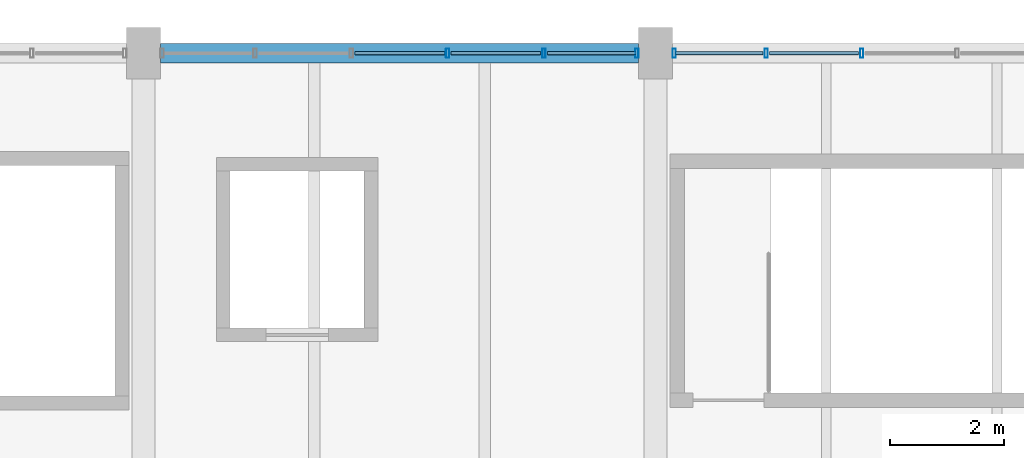
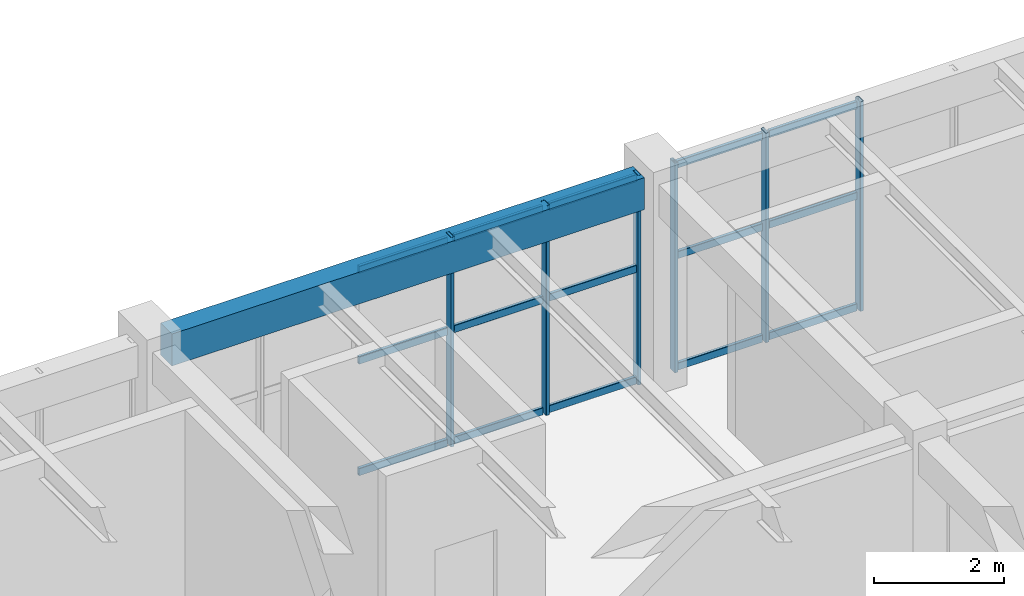
# One storey, part 68 of 148: 21 members, 1 beam, 2 elements without a shape of their own.
"""IFC4 building model written with IfcOpenShell, lengths in metres."""

from ifc_helpers import new_model, si_unit, derived_unit, direction, frame, origin, origin_2d, place, context, subcontext, project, spatial, rectangle, hollow_rectangle, extrude, material, material_profile, profile_set, type_object, element, aggregate, save


model = new_model("IFC4")

# Units and contexts
model_context = context("Model", 3, precision=1e-05, world=origin(), true_north=direction((0.0, 1.0)))
body_context = subcontext(model_context, "Body", "Model", "MODEL_VIEW")
ifc_project = project(units=[si_unit("LENGTHUNIT", "METRE"), si_unit("AREAUNIT", "SQUARE_METRE"), si_unit("VOLUMEUNIT", "CUBIC_METRE"), si_unit("PLANEANGLEUNIT", "RADIAN"), si_unit("MASSUNIT", "GRAM", prefix="KILO"), derived_unit("THERMALTRANSMITTANCEUNIT", [(si_unit("MASSUNIT", "GRAM", prefix="KILO"), 1), (si_unit("TIMEUNIT", "SECOND"), -3), (si_unit("THERMODYNAMICTEMPERATUREUNIT", "KELVIN"), -1)])], contexts=[model_context])

# Site, building, storey
site_placement = place(None, origin())
site = spatial("IfcSite", under=ifc_project, at=site_placement, CompositionType="ELEMENT")
building_placement = place(site_placement, origin())
building = spatial("IfcBuilding", under=site, at=building_placement, Name="Zhenchuan Archway Interchange", CompositionType="ELEMENT")
storey_placement = place(building_placement, frame((0.0, 0.0, 10.199951171875)))
storey = spatial("IfcBuildingStorey", under=building, at=storey_placement, Name="L02", CompositionType="ELEMENT", Elevation=10.199951171875)

# Curtain wall, members
ifc_material_1 = material(Name="Anodised Aluminium", Category="aluminium")
curtain_wall_type_1 = type_object("IfcCurtainWallType", Name="CW_UNIT_1", PredefinedType="NOTDEFINED", material=ifc_material_1)
curtain_wall_1_placement = place(storey_placement, origin())
curtain_wall_1 = element("IfcCurtainWall", 1, at=curtain_wall_1_placement, inside=storey, type_object=curtain_wall_type_1, Name="Unitised curtain wall CW:L02:140", PredefinedType="NOTDEFINED")
ifc_material_profile_1 = material_profile(ifc_material_1, hollow_rectangle(XDim=0.06005859375, YDim=0.159912109375, WallThickness=0.00390625, InnerFilletRadius=0.00390625, OuterFilletRadius=0.008056640625, at=origin_2d()), Name="ALU 160x60x4")
ifc_profile_set_1 = profile_set([ifc_material_profile_1], Name="Anodised Aluminium")
member_type_1 = type_object("IfcMemberType", Name="CW_MUL_150", PredefinedType="MULLION", material=ifc_profile_set_1)
member_1_placement = place(storey_placement, frame((23.346435546875, 112.0, 0.0), z_axis=(0.0, 0.0, 1.0), x_axis=(1.0, 0.0, 0.0)))
member_1 = element("IfcMember", 2, at=member_1_placement, type_object=member_type_1, Name="CW:L02:140 mullion 3", PredefinedType="MULLION", context=body_context, shape_type="SweptSolid", body=[
    extrude(hollow_rectangle(XDim=0.06005859375, YDim=0.159912109375, WallThickness=0.00390625, InnerFilletRadius=0.00390625, OuterFilletRadius=0.008056640625, at=origin_2d()), origin(), (0.0, 0.0, 1.0), 3.93994140625),
])
member_2_placement = place(storey_placement, frame((25.039306640625, 112.0, 0.0), z_axis=(0.0, 0.0, 1.0), x_axis=(1.0, 0.0, 0.0)))
member_2 = element("IfcMember", 3, at=member_2_placement, type_object=member_type_1, Name="CW:L02:140 mullion 4", PredefinedType="MULLION", context=body_context, shape_type="SweptSolid", body=[
    extrude(hollow_rectangle(XDim=0.06005859375, YDim=0.159912109375, WallThickness=0.00390625, InnerFilletRadius=0.00390625, OuterFilletRadius=0.008056640625, at=origin_2d()), origin(), (0.0, 0.0, 1.0), 3.93994140625),
])
member_3_placement = place(storey_placement, frame((26.672119140625, 112.0, 0.0), z_axis=(0.0, 0.0, 1.0), x_axis=(1.0, 0.0, 0.0)))
member_3 = element("IfcMember", 4, at=member_3_placement, type_object=member_type_1, Name="CW:L02:140 mullion 5", PredefinedType="MULLION", context=body_context, shape_type="SweptSolid", body=[
    extrude(hollow_rectangle(XDim=0.06005859375, YDim=0.159912109375, WallThickness=0.00390625, InnerFilletRadius=0.00390625, OuterFilletRadius=0.008056640625, at=origin_2d()), origin(), (0.0, 0.0, 1.0), 3.93994140625),
])

curtain_wall_type_2 = type_object("IfcCurtainWallType", Name="CW_UNIT_2", PredefinedType="NOTDEFINED", material=ifc_material_1)
curtain_wall_2_placement = place(storey_placement, origin())
curtain_wall_2 = element("IfcCurtainWall", 5, at=curtain_wall_2_placement, inside=storey, type_object=curtain_wall_type_2, Name="Unitised curtain wall CW:L02:141", PredefinedType="NOTDEFINED")
member_4_placement = place(storey_placement, frame((27.327880859375, 112.0, 0.0), z_axis=(0.0, 0.0, 1.0), x_axis=(1.0, 0.0, 0.0)))
member_4 = element("IfcMember", 6, at=member_4_placement, type_object=member_type_1, Name="CW:L02:141 mullion 0", PredefinedType="MULLION", context=body_context, shape_type="SweptSolid", body=[
    extrude(hollow_rectangle(XDim=0.06005859375, YDim=0.159912109375, WallThickness=0.00390625, InnerFilletRadius=0.00390625, OuterFilletRadius=0.008056640625, at=origin_2d()), origin(), (0.0, 0.0, 1.0), 3.93994140625),
])
member_5_placement = place(storey_placement, frame((28.94580078125, 112.0, 0.0), z_axis=(0.0, 0.0, 1.0), x_axis=(1.0, 0.0, 0.0)))
member_5 = element("IfcMember", 7, at=member_5_placement, type_object=member_type_1, Name="CW:L02:141 mullion 1", PredefinedType="MULLION", context=body_context, shape_type="SweptSolid", body=[
    extrude(hollow_rectangle(XDim=0.06005859375, YDim=0.159912109375, WallThickness=0.00390625, InnerFilletRadius=0.00390625, OuterFilletRadius=0.008056640625, at=origin_2d()), origin(), (0.0, 0.0, 1.0), 3.93994140625),
])
member_6_placement = place(storey_placement, frame((30.62353515625, 112.0, 0.0), z_axis=(0.0, 0.0, 1.0), x_axis=(1.0, 0.0, 0.0)))
member_6 = element("IfcMember", 8, at=member_6_placement, type_object=member_type_1, Name="CW:L02:141 mullion 2", PredefinedType="MULLION", context=body_context, shape_type="SweptSolid", body=[
    extrude(hollow_rectangle(XDim=0.06005859375, YDim=0.159912109375, WallThickness=0.00390625, InnerFilletRadius=0.00390625, OuterFilletRadius=0.008056640625, at=origin_2d()), origin(), (0.0, 0.0, 1.0), 3.93994140625),
])

# Member
ifc_material_profile_2 = material_profile(ifc_material_1, hollow_rectangle(XDim=0.06005859375, YDim=0.139892578125, WallThickness=0.00341796875, InnerFilletRadius=0.00341796875, OuterFilletRadius=0.007080078125, at=origin_2d()), Name="ALU 140x60x3.5")
ifc_profile_set_2 = profile_set([ifc_material_profile_2], Name="Anodised Aluminium")
member_type_2 = type_object("IfcMemberType", Name="CW_TRN_140", PredefinedType="USERDEFINED", material=ifc_profile_set_2)
member_7_placement = place(storey_placement, frame((21.713623046875, 112.0, 0.06005859375), z_axis=(1.0, 0.0, 0.0), x_axis=(0.0, 1.0, 0.0)))
member_7 = element("IfcMember", 9, at=member_7_placement, type_object=member_type_2, Name="CW:L02:140 transom 2-1", ObjectType="TRANSOM", PredefinedType="USERDEFINED", context=body_context, shape_type="SweptSolid", body=[
    extrude(hollow_rectangle(XDim=0.06005859375, YDim=0.139892578125, WallThickness=0.00341796875, InnerFilletRadius=0.00341796875, OuterFilletRadius=0.007080078125, at=origin_2d()), origin(), (0.0, 0.0, 1.0), 1.57275390625),
])

member_8_placement = place(storey_placement, frame((21.713623046875, 112.0, 2.156005859375), z_axis=(1.0, 0.0, 0.0), x_axis=(0.0, 1.0, 0.0)))
member_8 = element("IfcMember", 10, at=member_8_placement, type_object=member_type_2, Name="CW:L02:140 transom 2-2", ObjectType="TRANSOM", PredefinedType="USERDEFINED", context=body_context, shape_type="SweptSolid", body=[
    extrude(hollow_rectangle(XDim=0.06005859375, YDim=0.139892578125, WallThickness=0.00341796875, InnerFilletRadius=0.00341796875, OuterFilletRadius=0.007080078125, at=origin_2d()), origin(), (0.0, 0.0, 1.0), 1.57275390625),
])

member_9_placement = place(storey_placement, frame((21.713623046875, 112.0, 3.860107421875), z_axis=(1.0, 0.0, 0.0), x_axis=(0.0, 1.0, 0.0)))
member_9 = element("IfcMember", 11, at=member_9_placement, type_object=member_type_2, Name="CW:L02:140 transom 2-3", ObjectType="TRANSOM", PredefinedType="USERDEFINED", context=body_context, shape_type="SweptSolid", body=[
    extrude(hollow_rectangle(XDim=0.06005859375, YDim=0.139892578125, WallThickness=0.00341796875, InnerFilletRadius=0.00341796875, OuterFilletRadius=0.007080078125, at=origin_2d()), origin(), (0.0, 0.0, 1.0), 1.57275390625),
])

member_10_placement = place(storey_placement, frame((23.406494140625, 112.0, 0.06005859375), z_axis=(1.0, 0.0, 0.0), x_axis=(0.0, 1.0, 0.0)))
member_10 = element("IfcMember", 12, at=member_10_placement, type_object=member_type_2, Name="CW:L02:140 transom 3-1", ObjectType="TRANSOM", PredefinedType="USERDEFINED", context=body_context, shape_type="SweptSolid", body=[
    extrude(hollow_rectangle(XDim=0.06005859375, YDim=0.139892578125, WallThickness=0.00341796875, InnerFilletRadius=0.00341796875, OuterFilletRadius=0.007080078125, at=origin_2d()), origin(), (0.0, 0.0, 1.0), 1.57275390625),
])

member_11_placement = place(storey_placement, frame((23.406494140625, 112.0, 2.156005859375), z_axis=(1.0, 0.0, 0.0), x_axis=(0.0, 1.0, 0.0)))
member_11 = element("IfcMember", 13, at=member_11_placement, type_object=member_type_2, Name="CW:L02:140 transom 3-2", ObjectType="TRANSOM", PredefinedType="USERDEFINED", context=body_context, shape_type="SweptSolid", body=[
    extrude(hollow_rectangle(XDim=0.06005859375, YDim=0.139892578125, WallThickness=0.00341796875, InnerFilletRadius=0.00341796875, OuterFilletRadius=0.007080078125, at=origin_2d()), origin(), (0.0, 0.0, 1.0), 1.57275390625),
])

member_12_placement = place(storey_placement, frame((23.406494140625, 112.0, 3.860107421875), z_axis=(1.0, 0.0, 0.0), x_axis=(0.0, 1.0, 0.0)))
member_12 = element("IfcMember", 14, at=member_12_placement, type_object=member_type_2, Name="CW:L02:140 transom 3-3", ObjectType="TRANSOM", PredefinedType="USERDEFINED", context=body_context, shape_type="SweptSolid", body=[
    extrude(hollow_rectangle(XDim=0.06005859375, YDim=0.139892578125, WallThickness=0.00341796875, InnerFilletRadius=0.00341796875, OuterFilletRadius=0.007080078125, at=origin_2d()), origin(), (0.0, 0.0, 1.0), 1.57275390625),
])

member_13_placement = place(storey_placement, frame((25.09912109375, 112.0, 0.06005859375), z_axis=(1.0, 0.0, 0.0), x_axis=(0.0, 1.0, 0.0)))
member_13 = element("IfcMember", 15, at=member_13_placement, type_object=member_type_2, Name="CW:L02:140 transom 4-1", ObjectType="TRANSOM", PredefinedType="USERDEFINED", context=body_context, shape_type="SweptSolid", body=[
    extrude(hollow_rectangle(XDim=0.06005859375, YDim=0.139892578125, WallThickness=0.00341796875, InnerFilletRadius=0.00341796875, OuterFilletRadius=0.007080078125, at=origin_2d()), origin(), (0.0, 0.0, 1.0), 1.552978515625),
])

member_14_placement = place(storey_placement, frame((25.09912109375, 112.0, 2.156005859375), z_axis=(1.0, 0.0, 0.0), x_axis=(0.0, 1.0, 0.0)))
member_14 = element("IfcMember", 16, at=member_14_placement, type_object=member_type_2, Name="CW:L02:140 transom 4-2", ObjectType="TRANSOM", PredefinedType="USERDEFINED", context=body_context, shape_type="SweptSolid", body=[
    extrude(hollow_rectangle(XDim=0.06005859375, YDim=0.139892578125, WallThickness=0.00341796875, InnerFilletRadius=0.00341796875, OuterFilletRadius=0.007080078125, at=origin_2d()), origin(), (0.0, 0.0, 1.0), 1.552978515625),
])

member_15_placement = place(storey_placement, frame((25.09912109375, 112.0, 3.860107421875), z_axis=(1.0, 0.0, 0.0), x_axis=(0.0, 1.0, 0.0)))
member_15 = element("IfcMember", 17, at=member_15_placement, type_object=member_type_2, Name="CW:L02:140 transom 4-3", ObjectType="TRANSOM", PredefinedType="USERDEFINED", context=body_context, shape_type="SweptSolid", body=[
    extrude(hollow_rectangle(XDim=0.06005859375, YDim=0.139892578125, WallThickness=0.00341796875, InnerFilletRadius=0.00341796875, OuterFilletRadius=0.007080078125, at=origin_2d()), origin(), (0.0, 0.0, 1.0), 1.552978515625),
])

aggregate(curtain_wall_1, [member_1, member_2, member_3, member_7, member_8, member_9, member_10, member_11, member_12, member_13, member_14, member_15])

member_16_placement = place(storey_placement, frame((27.347900390625, 112.0, 0.06005859375), z_axis=(1.0, 0.0, 0.0), x_axis=(0.0, 1.0, 0.0)))
member_16 = element("IfcMember", 18, at=member_16_placement, type_object=member_type_2, Name="CW:L02:141 transom 0-1", ObjectType="TRANSOM", PredefinedType="USERDEFINED", context=body_context, shape_type="SweptSolid", body=[
    extrude(hollow_rectangle(XDim=0.06005859375, YDim=0.139892578125, WallThickness=0.00341796875, InnerFilletRadius=0.00341796875, OuterFilletRadius=0.007080078125, at=origin_2d()), origin(), (0.0, 0.0, 1.0), 1.537841796875),
])

member_17_placement = place(storey_placement, frame((27.347900390625, 112.0, 2.156005859375), z_axis=(1.0, 0.0, 0.0), x_axis=(0.0, 1.0, 0.0)))
member_17 = element("IfcMember", 19, at=member_17_placement, type_object=member_type_2, Name="CW:L02:141 transom 0-2", ObjectType="TRANSOM", PredefinedType="USERDEFINED", context=body_context, shape_type="SweptSolid", body=[
    extrude(hollow_rectangle(XDim=0.06005859375, YDim=0.139892578125, WallThickness=0.00341796875, InnerFilletRadius=0.00341796875, OuterFilletRadius=0.007080078125, at=origin_2d()), origin(), (0.0, 0.0, 1.0), 1.537841796875),
])

member_18_placement = place(storey_placement, frame((27.347900390625, 112.0, 3.860107421875), z_axis=(1.0, 0.0, 0.0), x_axis=(0.0, 1.0, 0.0)))
member_18 = element("IfcMember", 20, at=member_18_placement, type_object=member_type_2, Name="CW:L02:141 transom 0-3", ObjectType="TRANSOM", PredefinedType="USERDEFINED", context=body_context, shape_type="SweptSolid", body=[
    extrude(hollow_rectangle(XDim=0.06005859375, YDim=0.139892578125, WallThickness=0.00341796875, InnerFilletRadius=0.00341796875, OuterFilletRadius=0.007080078125, at=origin_2d()), origin(), (0.0, 0.0, 1.0), 1.537841796875),
])

member_19_placement = place(storey_placement, frame((29.005859375, 112.0, 0.06005859375), z_axis=(1.0, 0.0, 0.0), x_axis=(0.0, 1.0, 0.0)))
member_19 = element("IfcMember", 21, at=member_19_placement, type_object=member_type_2, Name="CW:L02:141 transom 1-1", ObjectType="TRANSOM", PredefinedType="USERDEFINED", context=body_context, shape_type="SweptSolid", body=[
    extrude(hollow_rectangle(XDim=0.06005859375, YDim=0.139892578125, WallThickness=0.00341796875, InnerFilletRadius=0.00341796875, OuterFilletRadius=0.007080078125, at=origin_2d()), origin(), (0.0, 0.0, 1.0), 1.557861328125),
])

member_20_placement = place(storey_placement, frame((29.005859375, 112.0, 2.156005859375), z_axis=(1.0, 0.0, 0.0), x_axis=(0.0, 1.0, 0.0)))
member_20 = element("IfcMember", 22, at=member_20_placement, type_object=member_type_2, Name="CW:L02:141 transom 1-2", ObjectType="TRANSOM", PredefinedType="USERDEFINED", context=body_context, shape_type="SweptSolid", body=[
    extrude(hollow_rectangle(XDim=0.06005859375, YDim=0.139892578125, WallThickness=0.00341796875, InnerFilletRadius=0.00341796875, OuterFilletRadius=0.007080078125, at=origin_2d()), origin(), (0.0, 0.0, 1.0), 1.557861328125),
])

member_21_placement = place(storey_placement, frame((29.005859375, 112.0, 3.860107421875), z_axis=(1.0, 0.0, 0.0), x_axis=(0.0, 1.0, 0.0)))
member_21 = element("IfcMember", 23, at=member_21_placement, type_object=member_type_2, Name="CW:L02:141 transom 1-3", ObjectType="TRANSOM", PredefinedType="USERDEFINED", context=body_context, shape_type="SweptSolid", body=[
    extrude(hollow_rectangle(XDim=0.06005859375, YDim=0.139892578125, WallThickness=0.00341796875, InnerFilletRadius=0.00341796875, OuterFilletRadius=0.007080078125, at=origin_2d()), origin(), (0.0, 0.0, 1.0), 1.557861328125),
])

aggregate(curtain_wall_2, [member_4, member_5, member_6, member_16, member_17, member_18, member_19, member_20, member_21])

# Beam
ifc_material_2 = material(Name="Concrete C40", Category="concrete")
ifc_material_profile_3 = material_profile(ifc_material_2, rectangle(XDim=0.35009765625, YDim=0.60009765625, at=origin_2d()), Name="RC 350x600")
ifc_profile_set_3 = profile_set([ifc_material_profile_3], Name="Concrete C40")
beam_type = type_object("IfcBeamType", Name="SP_RC_350x600", PredefinedType="SPANDREL", material=ifc_profile_set_3)
beam_placement = place(storey_placement, frame((18.300048828125, 112.0, 3.64013671875), z_axis=(1.0, 0.0, 0.0), x_axis=(0.0, 1.0, 0.0)))
element("IfcBeam", 24, at=beam_placement, inside=storey, type_object=beam_type, Name="Beam P:3-4 (L02)", PredefinedType="SPANDREL", context=body_context, shape_type="SweptSolid", body=[
    extrude(rectangle(XDim=0.35009765625, YDim=0.60009765625, at=origin_2d()), origin(), (0.0, 0.0, 1.0), 8.39990234375),
])

save(model, "model.ifc")
